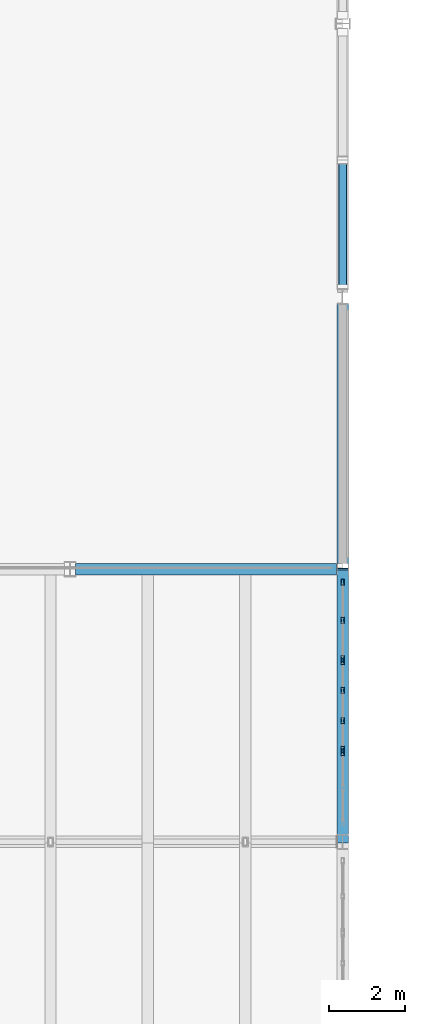
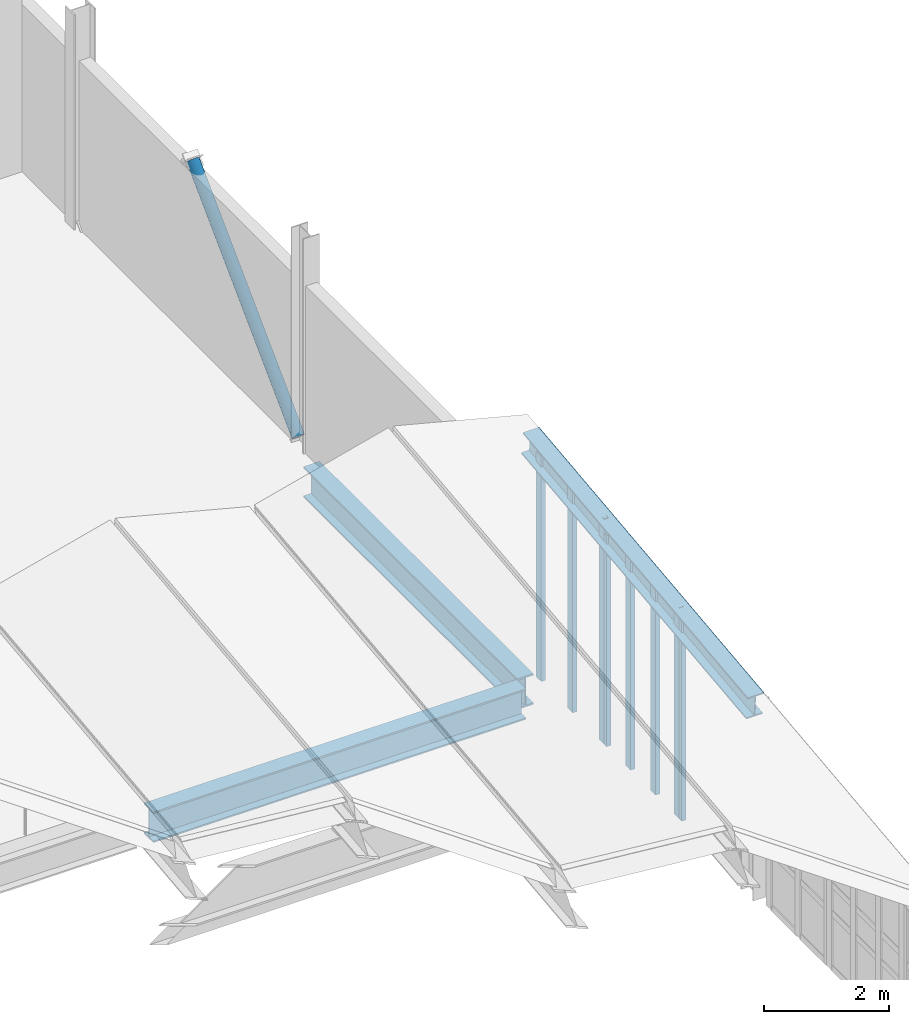
# One storey, part 18 of 48: 9 members, 3 beams, 3 elements without a shape of their own.
"""IFC4 building model written with IfcOpenShell, lengths in metres."""

from ifc_helpers import new_model, si_unit, direction, frame, origin, origin_2d, place, context, subcontext, project, spatial, hollow_rectangle, hollow_circle, i_section, extrude, material, layer, layer_set, material_profile, profile_set, type_object, element, aggregate, save


model = new_model("IFC4")

# Units and contexts
model_context = context("Model", 3, precision=1e-05, world=origin(), true_north=direction((0.0, 1.0)))
body_context = subcontext(model_context, "Body", "Model", "MODEL_VIEW")
ifc_project = project(units=[si_unit("LENGTHUNIT", "METRE"), si_unit("AREAUNIT", "SQUARE_METRE"), si_unit("VOLUMEUNIT", "CUBIC_METRE"), si_unit("PLANEANGLEUNIT", "RADIAN"), si_unit("MASSUNIT", "GRAM", prefix="KILO"), si_unit("THERMODYNAMICTEMPERATUREUNIT", "KELVIN"), si_unit("POWERUNIT", "WATT")], contexts=[model_context])

# Site, building, storey
site_placement = place(None, origin())
site = spatial("IfcSite", under=ifc_project, at=site_placement, CompositionType="ELEMENT")
building_placement = place(site_placement, origin())
building = spatial("IfcBuilding", under=site, at=building_placement, Name="Kaldorven Railside Theatre", CompositionType="ELEMENT")
storey_placement = place(building_placement, frame((0.0, 0.0, 18.89990234375)))
storey = spatial("IfcBuildingStorey", under=building, at=storey_placement, Name="L04", CompositionType="ELEMENT", Elevation=18.89990234375)

# Beams
ifc_material_1 = material(Name="Steel S355", Category="steel")
ifc_material_profile_1 = material_profile(ifc_material_1, i_section(OverallWidth=0.300048828125, OverallDepth=0.449951171875, WebThickness=0.013916015625, FlangeThickness=0.02587890625, at=origin_2d()), Name="HEB 450")
ifc_profile_set_1 = profile_set([ifc_material_profile_1], Name="Steel S355")
beam_type_1 = type_object("IfcBeamType", Name="BM-HEB450", PredefinedType="BEAM", material=ifc_profile_set_1)
beam_1_placement = place(storey_placement, frame((123.199951171875, 76.800048828125, 3.644287109375), z_axis=(0.0, 0.993575928723, 0.11316745938), x_axis=(-1.0, 0.0, 0.0)))
element("IfcBeam", 1, at=beam_1_placement, inside=storey, type_object=beam_type_1, Name="V1 Folded-Plate Valley Girder VB-095", PredefinedType="BEAM", context=body_context, shape_type="SweptSolid", body=[
    extrude(i_section(OverallWidth=0.300048828125, OverallDepth=0.449951171875, WebThickness=0.013916015625, FlangeThickness=0.02587890625, at=origin_2d()), origin(), (0.0, 0.0, 1.0), 7.24658203125),
])
ifc_material_profile_2 = material_profile(ifc_material_1, i_section(OverallWidth=0.300048828125, OverallDepth=0.60009765625, WebThickness=0.015380859375, FlangeThickness=0.030029296875, at=origin_2d()), Name="HEB 600")
ifc_profile_set_2 = profile_set([ifc_material_profile_2], Name="Steel S355")
beam_type_2 = type_object("IfcBeamType", Name="BM-HEB600", PredefinedType="BEAM", material=ifc_profile_set_2)
beam_2_placement = place(storey_placement, frame((116.14990234375, 84.0, -0.539794921875), z_axis=(1.0, 0.0, 0.0), x_axis=(0.0, 1.0, 0.0)))
element("IfcBeam", 2, at=beam_2_placement, inside=storey, type_object=beam_type_2, Name="L04 Girder BGX-L04-116-084", PredefinedType="BEAM", context=body_context, shape_type="SweptSolid", body=[
    extrude(i_section(OverallWidth=0.300048828125, OverallDepth=0.60009765625, WebThickness=0.015380859375, FlangeThickness=0.030029296875, at=origin_2d()), origin(), (0.0, 0.0, 1.0), 6.889892578125),
])
beam_3_placement = place(storey_placement, frame((123.199951171875, 84.154541015625, -0.539794921875), z_axis=(0.0, 1.0, 0.0), x_axis=(-1.0, 0.0, 0.0)))
element("IfcBeam", 3, at=beam_3_placement, inside=storey, type_object=beam_type_2, Name="L04 Girder BGY-L04-123-084-72", PredefinedType="BEAM", context=body_context, shape_type="SweptSolid", body=[
    extrude(i_section(OverallWidth=0.300048828125, OverallDepth=0.60009765625, WebThickness=0.015380859375, FlangeThickness=0.030029296875, at=origin_2d()), origin(), (0.0, 0.0, 1.0), 6.845458984375),
])

# Curtain wall, member
ifc_material_2 = material(Name="Low-E laminated solar-control glass", Category="glass")
ifc_layer_1 = layer(ifc_material_2, 0.159912109375, Name="Low-E laminated solar-control glass")
ifc_layer_set_1 = layer_set([ifc_layer_1], Name="Low-E laminated solar-control glass")
curtain_wall_type_1 = type_object("IfcCurtainWallType", Name="CWT-38", PredefinedType="USERDEFINED", material=ifc_layer_set_1)
curtain_wall_1_placement = place(storey_placement, origin())
curtain_wall_1 = element("IfcCurtainWall", 4, at=curtain_wall_1_placement, inside=storey, type_object=curtain_wall_type_1, Name="Main Theatre East Eave Clerestory CWG-030", ObjectType="FLUTED GLAZING", PredefinedType="USERDEFINED")
ifc_material_3 = material(Name="Anodised bronze aluminium", Category="aluminium")
ifc_material_profile_3 = material_profile(ifc_material_3, hollow_rectangle(XDim=0.080078125, YDim=0.159912109375, WallThickness=0.00634765625, at=origin_2d()), Name="RHS 160x80x6.3")
ifc_profile_set_3 = profile_set([ifc_material_profile_3], Name="Anodised bronze aluminium")
member_type_1 = type_object("IfcMemberType", Name="CWM-160", PredefinedType="MULLION", material=ifc_profile_set_3)
member_1_placement = place(storey_placement, frame((123.199951171875, 79.159912109375, 0.02001953125), z_axis=(0.0, 0.0, 1.0), x_axis=(-1.0, 0.0, 0.0)))
member_1 = element("IfcMember", 5, at=member_1_placement, type_object=member_type_1, Name="CWG-030 mullion 3", PredefinedType="MULLION", context=body_context, shape_type="SweptSolid", body=[
    extrude(hollow_rectangle(XDim=0.080078125, YDim=0.159912109375, WallThickness=0.00634765625, at=origin_2d()), origin(), (0.0, 0.0, 1.0), 3.900146484375),
])
aggregate(curtain_wall_1, [member_1])

# Curtain wall, members
ifc_layer_2 = layer(ifc_material_2, 0.159912109375, Name="Low-E laminated solar-control glass")
ifc_layer_set_2 = layer_set([ifc_layer_2], Name="Low-E laminated solar-control glass")
curtain_wall_type_2 = type_object("IfcCurtainWallType", Name="CWT-39", PredefinedType="USERDEFINED", material=ifc_layer_set_2)
curtain_wall_2_placement = place(storey_placement, origin())
curtain_wall_2 = element("IfcCurtainWall", 6, at=curtain_wall_2_placement, inside=storey, type_object=curtain_wall_type_2, Name="Main Theatre East Eave Clerestory CWG-031", ObjectType="FLUTED GLAZING", PredefinedType="USERDEFINED")
member_2_placement = place(storey_placement, frame((123.199951171875, 79.239990234375, 0.02001953125), z_axis=(0.0, 0.0, 1.0), x_axis=(-1.0, 0.0, 0.0)))
member_2 = element("IfcMember", 7, at=member_2_placement, type_object=member_type_1, Name="CWG-031 mullion 1", PredefinedType="MULLION", context=body_context, shape_type="SweptSolid", body=[
    extrude(hollow_rectangle(XDim=0.080078125, YDim=0.159912109375, WallThickness=0.00634765625, at=origin_2d()), origin(), (0.0, 0.0, 1.0), 4.1201171875),
])
member_3_placement = place(storey_placement, frame((123.199951171875, 80.0, 0.02001953125), z_axis=(0.0, 0.0, 1.0), x_axis=(-1.0, 0.0, 0.0)))
member_3 = element("IfcMember", 8, at=member_3_placement, type_object=member_type_1, Name="CWG-031 mullion 2", PredefinedType="MULLION", context=body_context, shape_type="SweptSolid", body=[
    extrude(hollow_rectangle(XDim=0.080078125, YDim=0.159912109375, WallThickness=0.00634765625, at=origin_2d()), origin(), (0.0, 0.0, 1.0), 4.1201171875),
])
member_4_placement = place(storey_placement, frame((123.199951171875, 80.800048828125, 0.02001953125), z_axis=(0.0, 0.0, 1.0), x_axis=(-1.0, 0.0, 0.0)))
member_4 = element("IfcMember", 9, at=member_4_placement, type_object=member_type_1, Name="CWG-031 mullion 3", PredefinedType="MULLION", context=body_context, shape_type="SweptSolid", body=[
    extrude(hollow_rectangle(XDim=0.080078125, YDim=0.159912109375, WallThickness=0.00634765625, at=origin_2d()), origin(), (0.0, 0.0, 1.0), 4.1201171875),
])
member_5_placement = place(storey_placement, frame((123.199951171875, 81.56005859375, 0.02001953125), z_axis=(0.0, 0.0, 1.0), x_axis=(-1.0, 0.0, 0.0)))
member_5 = element("IfcMember", 10, at=member_5_placement, type_object=member_type_1, Name="CWG-031 mullion 4", PredefinedType="MULLION", context=body_context, shape_type="SweptSolid", body=[
    extrude(hollow_rectangle(XDim=0.080078125, YDim=0.159912109375, WallThickness=0.00634765625, at=origin_2d()), origin(), (0.0, 0.0, 1.0), 4.1201171875),
])
aggregate(curtain_wall_2, [member_2, member_3, member_4, member_5])

ifc_layer_3 = layer(ifc_material_2, 0.159912109375, Name="Low-E laminated solar-control glass")
ifc_layer_set_3 = layer_set([ifc_layer_3], Name="Low-E laminated solar-control glass")
curtain_wall_type_3 = type_object("IfcCurtainWallType", Name="CWT-40", PredefinedType="USERDEFINED", material=ifc_layer_set_3)
curtain_wall_3_placement = place(storey_placement, origin())
curtain_wall_3 = element("IfcCurtainWall", 11, at=curtain_wall_3_placement, inside=storey, type_object=curtain_wall_type_3, Name="Main Theatre East Eave Clerestory CWG-032", ObjectType="FLUTED GLAZING", PredefinedType="USERDEFINED")
member_6_placement = place(storey_placement, frame((123.199951171875, 81.639892578125, 0.02001953125), z_axis=(0.0, 0.0, 1.0), x_axis=(-1.0, 0.0, 0.0)))
member_6 = element("IfcMember", 12, at=member_6_placement, type_object=member_type_1, Name="CWG-032 mullion 1", PredefinedType="MULLION", context=body_context, shape_type="SweptSolid", body=[
    extrude(hollow_rectangle(XDim=0.080078125, YDim=0.159912109375, WallThickness=0.00634765625, at=origin_2d()), origin(), (0.0, 0.0, 1.0), 4.400146484375),
])
member_7_placement = place(storey_placement, frame((123.199951171875, 82.64990234375, 0.02001953125), z_axis=(0.0, 0.0, 1.0), x_axis=(-1.0, 0.0, 0.0)))
member_7 = element("IfcMember", 13, at=member_7_placement, type_object=member_type_1, Name="CWG-032 mullion 2", PredefinedType="MULLION", context=body_context, shape_type="SweptSolid", body=[
    extrude(hollow_rectangle(XDim=0.080078125, YDim=0.159912109375, WallThickness=0.00634765625, at=origin_2d()), origin(), (0.0, 0.0, 1.0), 4.400146484375),
])
member_8_placement = place(storey_placement, frame((123.199951171875, 83.65966796875, 0.02001953125), z_axis=(0.0, 0.0, 1.0), x_axis=(-1.0, 0.0, 0.0)))
member_8 = element("IfcMember", 14, at=member_8_placement, type_object=member_type_1, Name="CWG-032 mullion 3", PredefinedType="MULLION", context=body_context, shape_type="SweptSolid", body=[
    extrude(hollow_rectangle(XDim=0.080078125, YDim=0.159912109375, WallThickness=0.00634765625, at=origin_2d()), origin(), (0.0, 0.0, 1.0), 4.400146484375),
])
aggregate(curtain_wall_3, [member_6, member_7, member_8])

# Member
ifc_material_profile_4 = material_profile(ifc_material_1, hollow_circle(Radius=0.109619140625, WallThickness=0.010009765625, at=origin_2d()), Name="CHS 219.1x10")
ifc_profile_set_4 = profile_set([ifc_material_profile_4], Name="Steel S355")
member_type_2 = type_object("IfcMemberType", Name="MEM-CHS219", PredefinedType="BRACE", material=ifc_profile_set_4)
member_9_placement = place(storey_placement, frame((123.199951171875, 91.419921875, 0.0400390625), z_axis=(0.0, 0.709203868698, 0.705003455753), x_axis=(-1.0, 0.0, 0.0)))
element("IfcMember", 15, at=member_9_placement, inside=storey, type_object=member_type_2, Name="Fly-Tower Concentric Chevron Brace BR-041", PredefinedType="BRACE", context=body_context, shape_type="SweptSolid", body=[
    extrude(hollow_circle(Radius=0.109619140625, WallThickness=0.010009765625, at=origin_2d()), origin(), (0.0, 0.0, 1.0), 4.76611328125),
])

save(model, "model.ifc")
